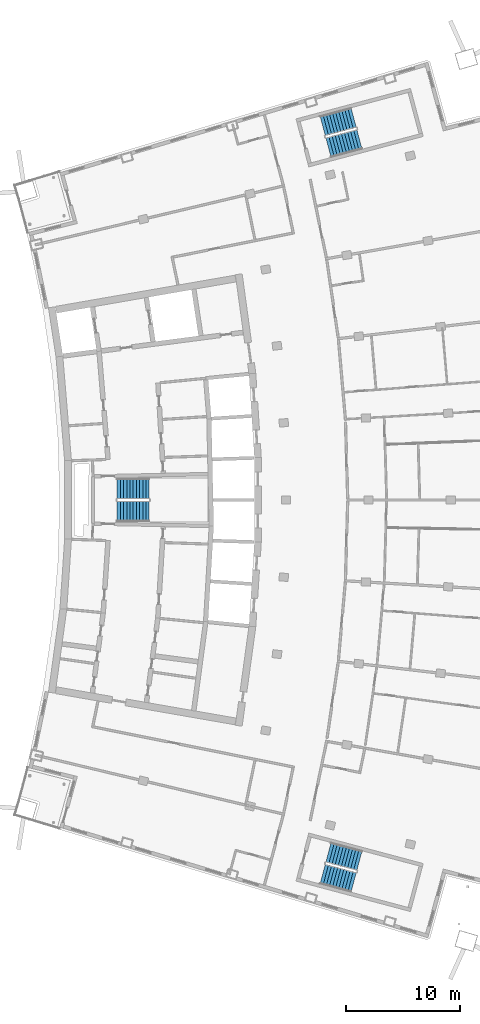
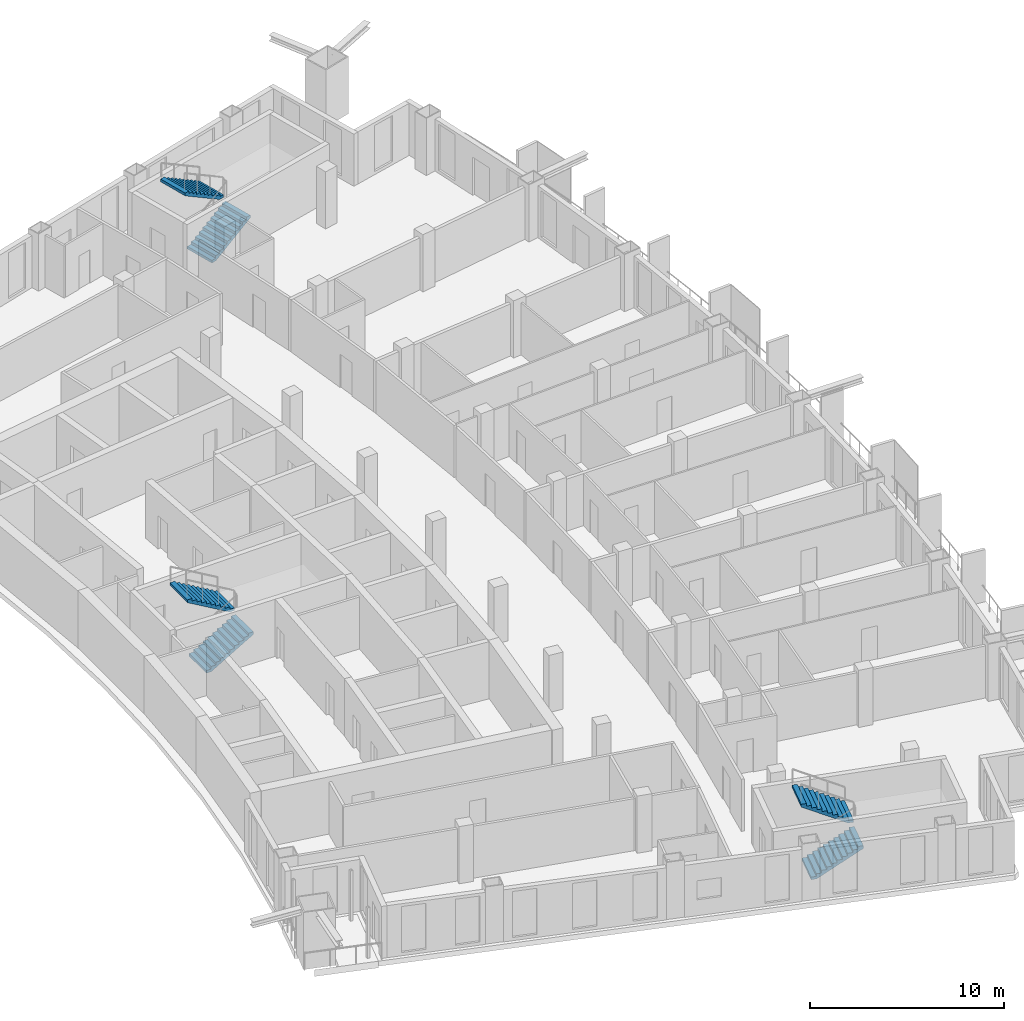
# One storey, part 16 of 19: 6 stair flights, 3 elements without a shape of their own.
"""IFC4 building model written with IfcOpenShell, lengths in metres."""

import ifcopenshell
import ifcopenshell.guid

model = None  # the IFC model being written
_history = None  # IfcOwnerHistory: only IFC2X3 demands one
_inside = {}  # id of a spatial element -> (the spatial element, [elements in it])
_under = {}  # id of a project, library or spatial element -> (it, [spatial elements below it])
_declared = {}  # id of a project -> (the project, [libraries it declares])
_typed = {}  # id of a type object -> (the type object, [elements of that type])
_made_of = {}  # id of a material, layer set ... -> (it, [elements and type objects made of it])


def new_model(schema):
    """Start an empty IFC model of exactly this schema.

    Asked for "IFC4X3", IfcOpenShell would pick the latest addendum, in which some entities
    have other attributes; the version numbers below select the first issue.
    IFC2X3 requires an IfcOwnerHistory on every rooted entity: one is made here for all.
    """
    global model, _history
    if schema == "IFC4X3":
        model = ifcopenshell.file(schema_version=(4, 3, 0, 0))
    else:
        model = ifcopenshell.file(schema=schema)
    _inside.clear()
    _under.clear()
    _declared.clear()
    _typed.clear()
    _made_of.clear()
    _history = None
    if model.schema == "IFC2X3":
        org = make("IfcOrganization", Name="unknown")
        user = make(
            "IfcPersonAndOrganization",
            ThePerson=make("IfcPerson", FamilyName="unknown"),
            TheOrganization=org,
        )
        app = make(
            "IfcApplication",
            ApplicationDeveloper=org,
            Version="unknown",
            ApplicationFullName="unknown",
            ApplicationIdentifier="unknown",
        )
        _history = make(
            "IfcOwnerHistory",
            OwningUser=user,
            OwningApplication=app,
            ChangeAction="ADDED",
            CreationDate=0,
        )
    return model


def make(cls, **values):
    """One entity of the class cls with the attributes given. An attribute that is None is left unset."""
    return model.create_entity(
        cls, **{name: value for name, value in values.items() if value is not None}
    )


def rooted(cls, **values):
    """An entity with a GlobalId (a new one), such as an element, a storey or a relation."""
    return make(cls, GlobalId=ifcopenshell.guid.new(), OwnerHistory=_history, **values)


def si_unit(unit_type, name, prefix=None):
    """IfcSIUnit, for example si_unit("LENGTHUNIT", "METRE", prefix="MILLI")."""
    return make("IfcSIUnit", UnitType=unit_type, Prefix=prefix, Name=name)


def assignment(units):
    """IfcUnitAssignment: the units of a project."""
    return None if units is None else make("IfcUnitAssignment", Units=units)


def point(xyz):
    """IfcCartesianPoint."""
    return None if xyz is None else make("IfcCartesianPoint", Coordinates=xyz)


def direction(xyz):
    """IfcDirection."""
    return None if xyz is None else make("IfcDirection", DirectionRatios=xyz)


def frame(location, z_axis=None, x_axis=None):
    """IfcAxis2Placement3D, a coordinate frame: its origin and axes. An axis left out is left unset."""
    return make(
        "IfcAxis2Placement3D",
        Location=point(location),
        Axis=direction(z_axis),
        RefDirection=direction(x_axis),
    )


def origin():
    """The frame at (0, 0, 0) with its axes left unset."""
    return frame((0.0, 0.0, 0.0))


def place(relative_to, where):
    """IfcLocalPlacement: puts the frame where relative to a parent placement (None: the world)."""
    return make(
        "IfcLocalPlacement", PlacementRelTo=relative_to, RelativePlacement=where
    )


def context(
    kind, dimensions, precision=None, world=None, true_north=None, identifier=None
):
    """IfcGeometricRepresentationContext, for example the 3D "Model" context."""
    return make(
        "IfcGeometricRepresentationContext",
        ContextIdentifier=identifier,
        ContextType=kind,
        CoordinateSpaceDimension=dimensions,
        Precision=precision,
        WorldCoordinateSystem=world,
        TrueNorth=true_north,
    )


def subcontext(parent, identifier, kind, view, scale=None):
    """IfcGeometricRepresentationSubContext, for example "Body" below "Model"."""
    return make(
        "IfcGeometricRepresentationSubContext",
        ContextIdentifier=identifier,
        ContextType=kind,
        ParentContext=parent,
        TargetScale=scale,
        TargetView=view,
    )


def project(units=None, contexts=None):
    """IfcProject with its units and contexts."""
    return rooted(
        "IfcProject",
        Name="project",
        RepresentationContexts=contexts,
        UnitsInContext=assignment(units),
    )


def spatial(cls, under=None, at=None, **own):
    """A site, building, storey or space (cls), placed at a placement, below another one or the project."""
    s = rooted(cls, ObjectPlacement=at, **own)
    if under is not None:
        _under.setdefault(under.id(), (under, []))[1].append(s)
    return s


def polyline(points):
    """IfcPolyline through the points."""
    return make("IfcPolyline", Points=[point(p) for p in points])


def outline(outer, holes=None, kind="AREA"):
    """IfcArbitraryClosedProfileDef: a profile drawn as a closed curve; with holes, ...WithVoids."""
    if holes is None:
        return make("IfcArbitraryClosedProfileDef", ProfileType=kind, OuterCurve=outer)
    return make(
        "IfcArbitraryProfileDefWithVoids",
        ProfileType=kind,
        OuterCurve=outer,
        InnerCurves=holes,
    )


def extrude(swept, where, along, depth):
    """IfcExtrudedAreaSolid: the profile swept, set in the frame where, extruded along a direction by depth."""
    return make(
        "IfcExtrudedAreaSolid",
        SweptArea=swept,
        Position=where,
        ExtrudedDirection=direction(along),
        Depth=depth,
    )


def shape(context_of_items, identifier, shape_type, items):
    """IfcShapeRepresentation: the items that make up one representation, for example the "Body"."""
    return make(
        "IfcShapeRepresentation",
        ContextOfItems=context_of_items,
        RepresentationIdentifier=identifier,
        RepresentationType=shape_type,
        Items=items,
    )


def material(Name=None, Category=None):
    """IfcMaterial."""
    return make("IfcMaterial", Name=Name, Category=Category)


def layer(
    of_material, thickness, ventilated=None, Name=None, Category=None, Priority=None
):
    """IfcMaterialLayer: one layer of a wall or slab, of a material (None: an air gap)."""
    return make(
        "IfcMaterialLayer",
        Material=of_material,
        LayerThickness=thickness,
        IsVentilated=ventilated,
        Name=Name,
        Category=Category,
        Priority=Priority,
    )


def layer_set(layers, Name=None):
    """IfcMaterialLayerSet."""
    return make("IfcMaterialLayerSet", MaterialLayers=layers, LayerSetName=Name)


def made_of(thing, what):
    """Note that an element or type object is made of a material, layer set ...; save() writes the relation."""
    if what is not None:
        _made_of.setdefault(what.id(), (what, []))[1].append(thing)
    return thing


def type_object(cls, material=None, **own):
    """A type object (cls), such as IfcWallType, which elements share."""
    return made_of(rooted(cls, **own), material)


def element(
    cls,
    number,
    at=None,
    inside=None,
    cuts=None,
    type_object=None,
    material=None,
    context=None,
    identifier="Body",
    shape_type=None,
    held_by="IfcProductDefinitionShape",
    body=None,
    shapes=None,
    **own,
):
    """One element of the class cls, such as IfcWall. Its Tag is "e" and its number.

    at: its placement. inside: the storey or other place that contains it. cuts: it is an
    opening in that element (IfcRelVoidsElement). A single representation is given by context,
    identifier, shape_type and body (its items); several are given by shapes. held_by: the class
    of the entity that holds the representations. save() writes the other relations.
    """
    e = rooted(cls, Tag="e%d" % number, ObjectPlacement=at, **own)
    if body is not None:
        shapes = [shape(context, identifier, shape_type, body)]
    if shapes is not None:
        e.Representation = make(held_by, Representations=shapes)
    if inside is not None:
        _inside.setdefault(inside.id(), (inside, []))[1].append(e)
    if cuts is not None:
        rooted(
            "IfcRelVoidsElement", RelatingBuildingElement=cuts, RelatedOpeningElement=e
        )
    if type_object is not None:
        _typed.setdefault(type_object.id(), (type_object, []))[1].append(e)
    return made_of(e, material)


def aggregate(whole, parts):
    """IfcRelAggregates: a whole, such as a stair, and the parts it consists of."""
    return rooted("IfcRelAggregates", RelatingObject=whole, RelatedObjects=parts)


def save(model, path):
    """Write the relations noted so far, then the file.

    IfcRelAggregates (storeys below a building ...), IfcRelContainedInSpatialStructure (elements
    in a storey), IfcRelDefinesByType, IfcRelAssociatesMaterial and IfcRelDeclares: one each for
    every whole, place, type object, material and project.
    """
    for whole, parts in _under.values():
        aggregate(whole, parts)
    for where, things in _inside.values():
        rooted(
            "IfcRelContainedInSpatialStructure",
            RelatedElements=things,
            RelatingStructure=where,
        )
    for kind, things in _typed.values():
        rooted("IfcRelDefinesByType", RelatedObjects=things, RelatingType=kind)
    for what, things in _made_of.values():
        rooted("IfcRelAssociatesMaterial", RelatedObjects=things, RelatingMaterial=what)
    for by, libraries in _declared.values():
        rooted("IfcRelDeclares", RelatingContext=by, RelatedDefinitions=libraries)
    model.write(path)


model = new_model("IFC4")

# Units and contexts
model_context = context("Model", 3, precision=1e-05, world=origin(), true_north=direction((0.0, 1.0)))
body_context = subcontext(model_context, "Body", "Model", "MODEL_VIEW")
ifc_project = project(units=[si_unit("LENGTHUNIT", "METRE"), si_unit("AREAUNIT", "SQUARE_METRE"), si_unit("VOLUMEUNIT", "CUBIC_METRE"), si_unit("PLANEANGLEUNIT", "RADIAN"), si_unit("MASSUNIT", "GRAM", prefix="KILO")], contexts=[model_context])

# Site, building, storey
site_placement = place(None, origin())
site = spatial("IfcSite", under=ifc_project, at=site_placement, CompositionType="ELEMENT")
building_placement = place(site_placement, origin())
building = spatial("IfcBuilding", under=site, at=building_placement, Name="Alderwake Tower", CompositionType="ELEMENT")
storey_placement = place(building_placement, frame((0.0, 0.0, 228.800048828125)))
storey = spatial("IfcBuildingStorey", under=building, at=storey_placement, Name="L57", CompositionType="ELEMENT", Elevation=228.800048828125)

# Stair, stair flights
ifc_material_1 = material(Name="Concrete C40/50", Category="concrete")
stair_type = type_object("IfcStairType", Name="Core exit stair", PredefinedType="HALF_TURN_STAIR", material=ifc_material_1)
stair_1_placement = place(storey_placement, origin())
stair_1 = element("IfcStair", 1, at=stair_1_placement, inside=storey, type_object=stair_type, Name="L57 Exit Stair B", PredefinedType="HALF_TURN_STAIR")
ifc_material_2 = material(Name="Concrete C40/50", Category="concrete")
ifc_layer = layer(ifc_material_2, 0.14990234375)
ifc_layer_set = layer_set([ifc_layer], Name="Core stair flight")
stair_flight_type = type_object("IfcStairFlightType", Name="Core stair flight", PredefinedType="STRAIGHT", material=ifc_layer_set)
stair_flight_1_placement = place(storey_placement, frame((21.0400390625, 60.02490234375, 0.0), z_axis=(0.0, 0.0, 1.0), x_axis=(1.0, 0.0, 0.0)))
stair_flight_1 = element("IfcStairFlight", 2, at=stair_flight_1_placement, type_object=stair_flight_type, Name="ST-B flight 1", NumberOfRisers=11, NumberOfTreads=10, PredefinedType="STRAIGHT", RiserHeight=0.163636364, TreadLength=0.28, context=body_context, shape_type="SweptSolid", body=[
    extrude(outline(polyline([(0.0, 0.0), (0.0, 0.16357421875), (0.280029296875, 0.16357421875), (0.280029296875, 0.327392578125), (0.56005859375, 0.327392578125), (0.56005859375, 0.490966796875), (0.840087890625, 0.490966796875), (0.840087890625, 0.654541015625), (1.1201171875, 0.654541015625), (1.1201171875, 0.818115234375), (1.39990234375, 0.818115234375), (1.39990234375, 0.98193359375), (1.679931640625, 0.98193359375), (1.679931640625, 1.1455078125), (1.9599609375, 1.1455078125), (1.9599609375, 1.30908203125), (2.239990234375, 1.30908203125), (2.239990234375, 1.47265625), (2.52001953125, 1.47265625), (2.52001953125, 1.636474609375), (2.800048828125, 1.636474609375), (2.800048828125, 1.800048828125), (2.800048828125, 1.462646484375), (0.297119140625, 0.0), (0.0, 0.0)])), frame((0.0, 0.89990234375, 0.0), z_axis=(0.0, -1.0, 0.0), x_axis=(1.0, 0.0, 0.0)), (0.0, 0.0, 1.0), 1.800048828125),
])
stair_flight_2_placement = place(storey_placement, frame((23.840087890625, 61.97509765625, 1.800048828125), z_axis=(0.0, 0.0, 1.0), x_axis=(-1.0, 0.0, 0.0)))
stair_flight_2 = element("IfcStairFlight", 3, at=stair_flight_2_placement, type_object=stair_flight_type, Name="ST-B flight 2", NumberOfRisers=11, NumberOfTreads=10, PredefinedType="STRAIGHT", RiserHeight=0.163636364, TreadLength=0.28, context=body_context, shape_type="SweptSolid", body=[
    extrude(outline(polyline([(0.0, 0.0), (0.0, 0.16357421875), (0.280029296875, 0.16357421875), (0.280029296875, 0.327392578125), (0.56005859375, 0.327392578125), (0.56005859375, 0.490966796875), (0.840087890625, 0.490966796875), (0.840087890625, 0.654541015625), (1.1201171875, 0.654541015625), (1.1201171875, 0.818115234375), (1.39990234375, 0.818115234375), (1.39990234375, 0.98193359375), (1.679931640625, 0.98193359375), (1.679931640625, 1.1455078125), (1.9599609375, 1.1455078125), (1.9599609375, 1.30908203125), (2.239990234375, 1.30908203125), (2.239990234375, 1.47265625), (2.52001953125, 1.47265625), (2.52001953125, 1.636474609375), (2.800048828125, 1.636474609375), (2.800048828125, 1.800048828125), (2.800048828125, 1.462646484375), (0.297119140625, 0.0), (0.0, 0.0)])), frame((0.0, 0.89990234375, 0.0), z_axis=(0.0, -1.0, 0.0), x_axis=(1.0, 0.0, 0.0)), (0.0, 0.0, 1.0), 1.800048828125),
])
aggregate(stair_1, [stair_flight_1, stair_flight_2])

stair_2_placement = place(storey_placement, origin())
stair_2 = element("IfcStair", 4, at=stair_2_placement, inside=storey, type_object=stair_type, Name="L57 Exit Stair A", PredefinedType="HALF_TURN_STAIR")
stair_flight_3_placement = place(storey_placement, frame((39.512939453125, 91.823974609375, 0.0), z_axis=(0.0, 0.0, 1.0), x_axis=(0.966309627437, 0.257382407951, 0.0)))
stair_flight_3 = element("IfcStairFlight", 5, at=stair_flight_3_placement, type_object=stair_flight_type, Name="ST-A flight 1", NumberOfRisers=11, NumberOfTreads=10, PredefinedType="STRAIGHT", RiserHeight=0.163636364, TreadLength=0.28, context=body_context, shape_type="SweptSolid", body=[
    extrude(outline(polyline([(0.0, 0.0), (0.0, 0.16357421875), (0.280029296875, 0.16357421875), (0.280029296875, 0.327392578125), (0.56005859375, 0.327392578125), (0.56005859375, 0.490966796875), (0.840087890625, 0.490966796875), (0.840087890625, 0.654541015625), (1.1201171875, 0.654541015625), (1.1201171875, 0.818115234375), (1.39990234375, 0.818115234375), (1.39990234375, 0.98193359375), (1.679931640625, 0.98193359375), (1.679931640625, 1.1455078125), (1.9599609375, 1.1455078125), (1.9599609375, 1.30908203125), (2.239990234375, 1.30908203125), (2.239990234375, 1.47265625), (2.52001953125, 1.47265625), (2.52001953125, 1.636474609375), (2.800048828125, 1.636474609375), (2.800048828125, 1.800048828125), (2.800048828125, 1.462646484375), (0.297119140625, 0.0), (0.0, 0.0)])), frame((0.0, 0.89990234375, 0.0), z_axis=(0.0, -1.0, 0.0), x_axis=(1.0, 0.0, 0.0)), (0.0, 0.0, 1.0), 1.800048828125),
])
stair_flight_4_placement = place(storey_placement, frame((41.716796875, 94.428955078125, 1.800048828125), z_axis=(0.0, 0.0, 1.0), x_axis=(-0.966309627437, -0.257382407951, 0.0)))
stair_flight_4 = element("IfcStairFlight", 6, at=stair_flight_4_placement, type_object=stair_flight_type, Name="ST-A flight 2", NumberOfRisers=11, NumberOfTreads=10, PredefinedType="STRAIGHT", RiserHeight=0.163636364, TreadLength=0.28, context=body_context, shape_type="SweptSolid", body=[
    extrude(outline(polyline([(0.0, 0.0), (0.0, 0.16357421875), (0.280029296875, 0.16357421875), (0.280029296875, 0.327392578125), (0.56005859375, 0.327392578125), (0.56005859375, 0.490966796875), (0.840087890625, 0.490966796875), (0.840087890625, 0.654541015625), (1.1201171875, 0.654541015625), (1.1201171875, 0.818115234375), (1.39990234375, 0.818115234375), (1.39990234375, 0.98193359375), (1.679931640625, 0.98193359375), (1.679931640625, 1.1455078125), (1.9599609375, 1.1455078125), (1.9599609375, 1.30908203125), (2.239990234375, 1.30908203125), (2.239990234375, 1.47265625), (2.52001953125, 1.47265625), (2.52001953125, 1.636474609375), (2.800048828125, 1.636474609375), (2.800048828125, 1.800048828125), (2.800048828125, 1.462646484375), (0.297119140625, 0.0), (0.0, 0.0)])), frame((0.0, 0.89990234375, 0.0), z_axis=(0.0, -1.0, 0.0), x_axis=(1.0, 0.0, 0.0)), (0.0, 0.0, 1.0), 1.800048828125),
])
aggregate(stair_2, [stair_flight_3, stair_flight_4])

stair_3_placement = place(storey_placement, origin())
stair_3 = element("IfcStair", 7, at=stair_3_placement, inside=storey, type_object=stair_type, Name="L57 Exit Stair C", PredefinedType="HALF_TURN_STAIR")
stair_flight_5_placement = place(storey_placement, frame((39.010986328125, 28.291748046875, 0.0), z_axis=(0.0, 0.0, 1.0), x_axis=(0.966309627437, -0.257382407951, 0.0)))
stair_flight_5 = element("IfcStairFlight", 8, at=stair_flight_5_placement, type_object=stair_flight_type, Name="ST-C flight 1", NumberOfRisers=11, NumberOfTreads=10, PredefinedType="STRAIGHT", RiserHeight=0.163636364, TreadLength=0.28, context=body_context, shape_type="SweptSolid", body=[
    extrude(outline(polyline([(0.0, 0.0), (0.0, 0.16357421875), (0.280029296875, 0.16357421875), (0.280029296875, 0.327392578125), (0.56005859375, 0.327392578125), (0.56005859375, 0.490966796875), (0.840087890625, 0.490966796875), (0.840087890625, 0.654541015625), (1.1201171875, 0.654541015625), (1.1201171875, 0.818115234375), (1.39990234375, 0.818115234375), (1.39990234375, 0.98193359375), (1.679931640625, 0.98193359375), (1.679931640625, 1.1455078125), (1.9599609375, 1.1455078125), (1.9599609375, 1.30908203125), (2.239990234375, 1.30908203125), (2.239990234375, 1.47265625), (2.52001953125, 1.47265625), (2.52001953125, 1.636474609375), (2.800048828125, 1.636474609375), (2.800048828125, 1.800048828125), (2.800048828125, 1.462646484375), (0.297119140625, 0.0), (0.0, 0.0)])), frame((0.0, 0.89990234375, 0.0), z_axis=(0.0, -1.0, 0.0), x_axis=(1.0, 0.0, 0.0)), (0.0, 0.0, 1.0), 1.800048828125),
])
stair_flight_6_placement = place(storey_placement, frame((42.218505859375, 29.455322265625, 1.800048828125), z_axis=(0.0, 0.0, 1.0), x_axis=(-0.966309627437, 0.257382407951, 0.0)))
stair_flight_6 = element("IfcStairFlight", 9, at=stair_flight_6_placement, type_object=stair_flight_type, Name="ST-C flight 2", NumberOfRisers=11, NumberOfTreads=10, PredefinedType="STRAIGHT", RiserHeight=0.163636364, TreadLength=0.28, context=body_context, shape_type="SweptSolid", body=[
    extrude(outline(polyline([(0.0, 0.0), (0.0, 0.16357421875), (0.280029296875, 0.16357421875), (0.280029296875, 0.327392578125), (0.56005859375, 0.327392578125), (0.56005859375, 0.490966796875), (0.840087890625, 0.490966796875), (0.840087890625, 0.654541015625), (1.1201171875, 0.654541015625), (1.1201171875, 0.818115234375), (1.39990234375, 0.818115234375), (1.39990234375, 0.98193359375), (1.679931640625, 0.98193359375), (1.679931640625, 1.1455078125), (1.9599609375, 1.1455078125), (1.9599609375, 1.30908203125), (2.239990234375, 1.30908203125), (2.239990234375, 1.47265625), (2.52001953125, 1.47265625), (2.52001953125, 1.636474609375), (2.800048828125, 1.636474609375), (2.800048828125, 1.800048828125), (2.800048828125, 1.462646484375), (0.297119140625, 0.0), (0.0, 0.0)])), frame((0.0, 0.89990234375, 0.0), z_axis=(0.0, -1.0, 0.0), x_axis=(1.0, 0.0, 0.0)), (0.0, 0.0, 1.0), 1.800048828125),
])
aggregate(stair_3, [stair_flight_5, stair_flight_6])

save(model, "model.ifc")
